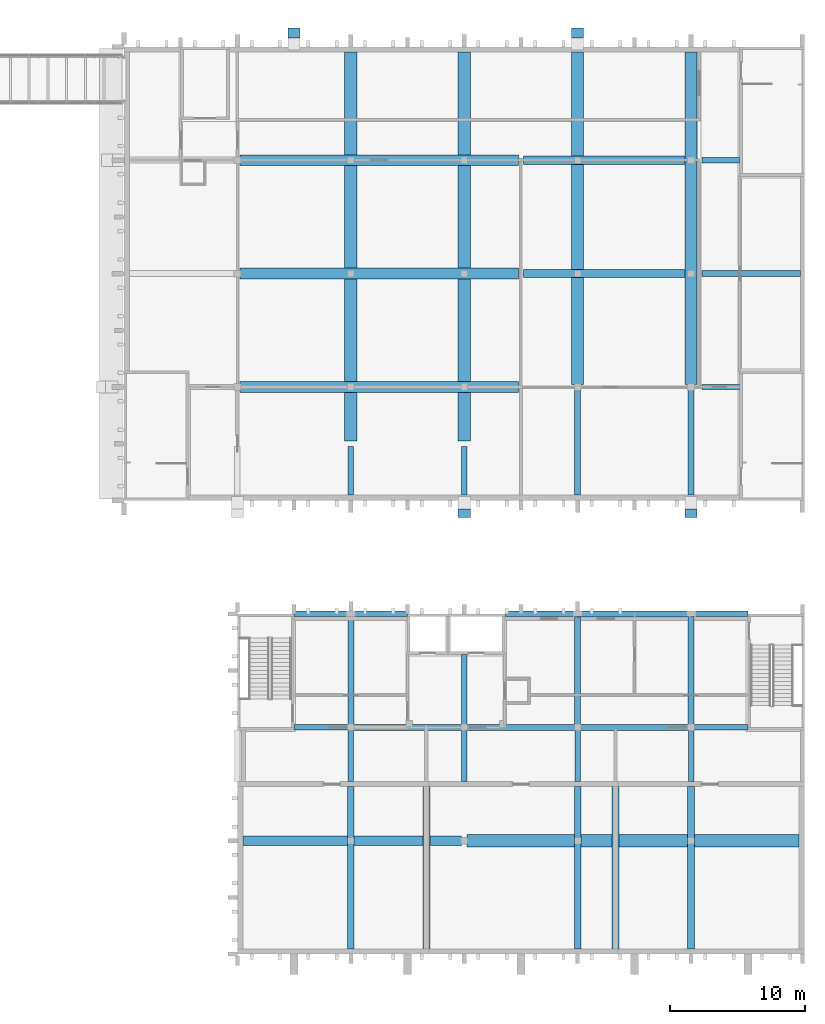
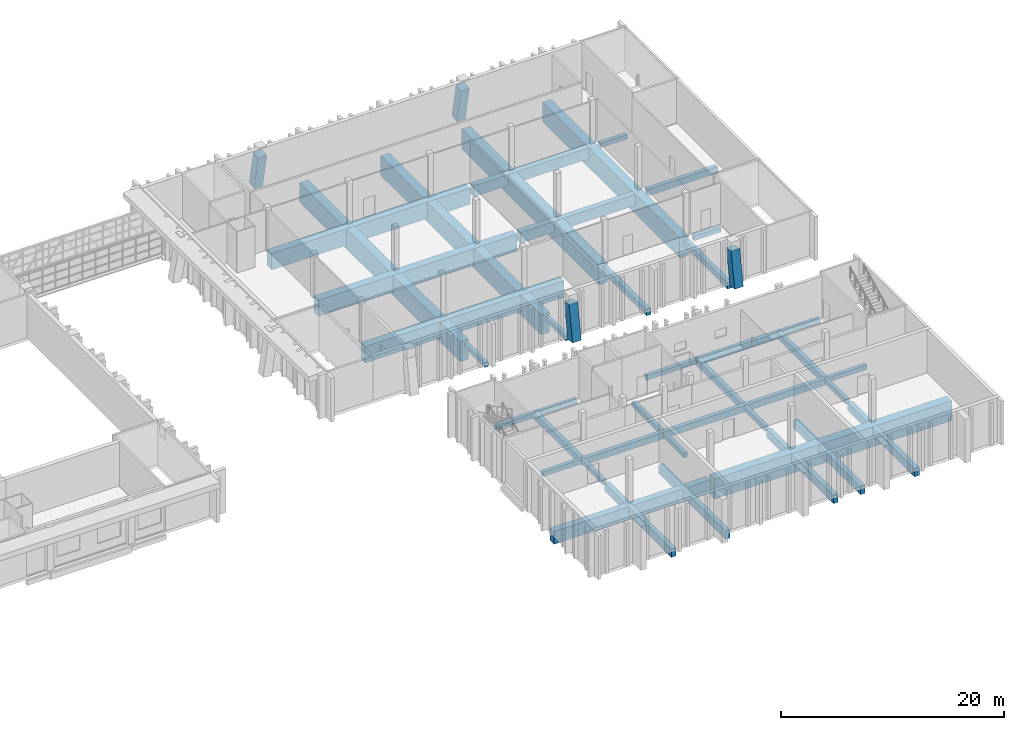
# One storey, part 24 of 86: 41 beams, 4 members.
"""IFC4 building model written with IfcOpenShell, lengths in metres."""

from ifc_helpers import new_model, si_unit, direction, frame, origin, origin_2d, place, context, subcontext, project, spatial, rectangle, extrude, material, material_profile, profile_set, type_object, element, save


model = new_model("IFC4")

# Units and contexts
model_context = context("Model", 3, precision=1e-05, world=origin(), true_north=direction((0.0, 1.0)))
body_context = subcontext(model_context, "Body", "Model", "MODEL_VIEW")
ifc_project = project(units=[si_unit("LENGTHUNIT", "METRE"), si_unit("AREAUNIT", "SQUARE_METRE"), si_unit("VOLUMEUNIT", "CUBIC_METRE"), si_unit("PLANEANGLEUNIT", "RADIAN"), si_unit("MASSUNIT", "GRAM", prefix="KILO")], contexts=[model_context])

# Site, building, storey
site_placement = place(None, origin())
site = spatial("IfcSite", under=ifc_project, at=site_placement, CompositionType="ELEMENT")
building_placement = place(site_placement, origin())
building = spatial("IfcBuilding", under=site, at=building_placement, Name="Kiln Court Media Centre", CompositionType="ELEMENT")
storey_placement = place(building_placement, frame((0.0, 0.0, 10.199951171875)))
storey = spatial("IfcBuildingStorey", under=building, at=storey_placement, Name="L02", CompositionType="ELEMENT", Elevation=10.199951171875)

# Beams
ifc_material_1 = material(Name="Concrete C30/37", Category="concrete")
ifc_material_profile_1 = material_profile(ifc_material_1, rectangle(XDim=0.39990234375, YDim=0.5, at=origin_2d()), Name="RC 400x500")
ifc_profile_set_1 = profile_set([ifc_material_profile_1], Name="Concrete C30/37")
beam_type_1 = type_object("IfcBeamType", Name="Concrete C30/37 beam 400x500", PredefinedType="BEAM", material=ifc_profile_set_1)
for number, where, z_axis, x_axis, name in (
    (1, (134.39990234375, 34.0, -0.550048828125), (0.0, 1.0, 0.0), (-1.0, 0.0, 0.0), "L02-B-1123"),
    (2, (142.800048828125, 34.0, -0.550048828125), (0.0, 1.0, 0.0), (-1.0, 0.0, 0.0), "L02-B-1125"),
):
    element("IfcBeam", number, at=place(storey_placement, frame(where, z_axis=z_axis, x_axis=x_axis)), inside=storey, type_object=beam_type_1, Name=name, PredefinedType="BEAM", context=body_context, shape_type="SweptSolid", body=[
        extrude(rectangle(XDim=0.39990234375, YDim=0.5, at=origin_2d()), origin(), (0.0, 0.0, 1.0), 3.60009765625),
    ])
for number, where, z_axis, x_axis, name in (
    (3, (160.39990234375, 42.0, -0.550048828125), (1.0, 0.0, 0.0), (0.0, 1.0, 0.0), "L02-B-1133"),
    (4, (160.39990234375, 58.800048828125, -0.550048828125), (1.0, 0.0, 0.0), (0.0, 1.0, 0.0), "L02-B-1141"),
):
    element("IfcBeam", number, at=place(storey_placement, frame(where, z_axis=z_axis, x_axis=x_axis)), inside=storey, type_object=beam_type_1, Name=name, PredefinedType="BEAM", context=body_context, shape_type="SweptSolid", body=[
        extrude(rectangle(XDim=0.39990234375, YDim=0.5, at=origin_2d()), origin(), (0.0, 0.0, 1.0), 2.800048828125),
    ])
for number, where, z_axis, x_axis, name in (
    (5, (134.39990234375, 12.800048828125, -0.550048828125), (0.0, 1.0, 0.0), (-1.0, 0.0, 0.0), "L02-B-1144"),
    (6, (142.800048828125, 12.800048828125, -0.550048828125), (0.0, 1.0, 0.0), (-1.0, 0.0, 0.0), "L02-B-1146"),
):
    element("IfcBeam", number, at=place(storey_placement, frame(where, z_axis=z_axis, x_axis=x_axis)), inside=storey, type_object=beam_type_1, Name=name, PredefinedType="BEAM", context=body_context, shape_type="SweptSolid", body=[
        extrude(rectangle(XDim=0.39990234375, YDim=0.5, at=origin_2d()), origin(), (0.0, 0.0, 1.0), 4.0),
    ])
beam_1_placement = place(storey_placement, frame((142.800048828125, 16.800048828125, -0.550048828125), z_axis=(0.0, 1.0, 0.0), x_axis=(-1.0, 0.0, 0.0)))
element("IfcBeam", 7, at=beam_1_placement, inside=storey, type_object=beam_type_1, Name="L02-B-1147", PredefinedType="BEAM", context=body_context, shape_type="SweptSolid", body=[
    extrude(rectangle(XDim=0.39990234375, YDim=0.5, at=origin_2d()), origin(), (0.0, 0.0, 1.0), 5.39990234375),
])
for number, where, z_axis, x_axis, name in (
    (8, (151.199951171875, 12.800048828125, -0.550048828125), (0.0, 1.0, 0.0), (-1.0, 0.0, 0.0), "L02-B-1149"),
    (9, (159.60009765625, 12.800048828125, -0.550048828125), (0.0, 1.0, 0.0), (-1.0, 0.0, 0.0), "L02-B-1152"),
):
    element("IfcBeam", number, at=place(storey_placement, frame(where, z_axis=z_axis, x_axis=x_axis)), inside=storey, type_object=beam_type_1, Name=name, PredefinedType="BEAM", context=body_context, shape_type="SweptSolid", body=[
        extrude(rectangle(XDim=0.39990234375, YDim=0.5, at=origin_2d()), origin(), (0.0, 0.0, 1.0), 4.0),
    ])
for number, where, z_axis, x_axis, name in (
    (10, (130.199951171875, 16.800048828125, -0.550048828125), (1.0, 0.0, 0.0), (0.0, 1.0, 0.0), "L02-B-1156"),
    (11, (159.60009765625, 16.800048828125, -0.550048828125), (1.0, 0.0, 0.0), (0.0, 1.0, 0.0), "L02-B-1160"),
    (12, (130.199951171875, 25.199951171875, -0.550048828125), (1.0, 0.0, 0.0), (0.0, 1.0, 0.0), "L02-B-1161"),
):
    element("IfcBeam", number, at=place(storey_placement, frame(where, z_axis=z_axis, x_axis=x_axis)), inside=storey, type_object=beam_type_1, Name=name, PredefinedType="BEAM", context=body_context, shape_type="SweptSolid", body=[
        extrude(rectangle(XDim=0.39990234375, YDim=0.5, at=origin_2d()), origin(), (0.0, 0.0, 1.0), 4.199951171875),
    ])
beam_2_placement = place(storey_placement, frame((134.39990234375, 25.199951171875, -0.550048828125), z_axis=(1.0, 0.0, 0.0), x_axis=(0.0, 1.0, 0.0)))
element("IfcBeam", 13, at=beam_2_placement, inside=storey, type_object=beam_type_1, Name="L02-B-1162", PredefinedType="BEAM", context=body_context, shape_type="SweptSolid", body=[
    extrude(rectangle(XDim=0.39990234375, YDim=0.5, at=origin_2d()), origin(), (0.0, 0.0, 1.0), 4.2001953125),
])
beam_3_placement = place(storey_placement, frame((145.800048828125, 25.199951171875, -0.550048828125), z_axis=(1.0, 0.0, 0.0), x_axis=(0.0, 1.0, 0.0)))
element("IfcBeam", 14, at=beam_3_placement, inside=storey, type_object=beam_type_1, Name="L02-B-1163", PredefinedType="BEAM", context=body_context, shape_type="SweptSolid", body=[
    extrude(rectangle(XDim=0.39990234375, YDim=0.5, at=origin_2d()), origin(), (0.0, 0.0, 1.0), 5.39990234375),
])
beam_4_placement = place(storey_placement, frame((159.60009765625, 25.199951171875, -0.550048828125), z_axis=(1.0, 0.0, 0.0), x_axis=(0.0, 1.0, 0.0)))
element("IfcBeam", 15, at=beam_4_placement, inside=storey, type_object=beam_type_1, Name="L02-B-1165", PredefinedType="BEAM", context=body_context, shape_type="SweptSolid", body=[
    extrude(rectangle(XDim=0.39990234375, YDim=0.5, at=origin_2d()), origin(), (0.0, 0.0, 1.0), 4.199951171875),
])
ifc_material_2 = material(Name="Concrete C30/37", Category="concrete")
ifc_material_profile_2 = material_profile(ifc_material_2, rectangle(XDim=0.449951171875, YDim=0.699951171875, at=origin_2d()), Name="RC 450x700")
ifc_profile_set_2 = profile_set([ifc_material_profile_2], Name="Concrete C30/37")
beam_type_2 = type_object("IfcBeamType", Name="Concrete C30/37 beam 450x700", PredefinedType="BEAM", material=ifc_profile_set_2)
for number, where, z_axis, x_axis, name in (
    (16, (151.199951171875, 34.0, -0.64990234375), (0.0, 1.0, 0.0), (-1.0, 0.0, 0.0), "L02-B-1127"),
    (17, (159.60009765625, 34.0, -0.64990234375), (0.0, 1.0, 0.0), (-1.0, 0.0, 0.0), "L02-B-1129"),
):
    element("IfcBeam", number, at=place(storey_placement, frame(where, z_axis=z_axis, x_axis=x_axis)), inside=storey, type_object=beam_type_2, Name=name, PredefinedType="BEAM", context=body_context, shape_type="SweptSolid", body=[
        extrude(rectangle(XDim=0.449951171875, YDim=0.699951171875, at=origin_2d()), origin(), (0.0, 0.0, 1.0), 7.800048828125),
    ])
beam_5_placement = place(storey_placement, frame((160.39990234375, 50.39990234375, -0.64990234375), z_axis=(1.0, 0.0, 0.0), x_axis=(0.0, 1.0, 0.0)))
element("IfcBeam", 18, at=beam_5_placement, inside=storey, type_object=beam_type_2, Name="L02-B-1137", PredefinedType="BEAM", context=body_context, shape_type="SweptSolid", body=[
    extrude(rectangle(XDim=0.449951171875, YDim=0.699951171875, at=origin_2d()), origin(), (0.0, 0.0, 1.0), 7.300048828125),
])
for number, where, z_axis, x_axis, name in (
    (19, (134.39990234375, 16.800048828125, -0.64990234375), (0.0, 1.0, 0.0), (-1.0, 0.0, 0.0), "L02-B-1145"),
    (20, (151.199951171875, 16.800048828125, -0.64990234375), (0.0, 1.0, 0.0), (-1.0, 0.0, 0.0), "L02-B-1150"),
    (21, (159.60009765625, 16.800048828125, -0.64990234375), (0.0, 1.0, 0.0), (-1.0, 0.0, 0.0), "L02-B-1153"),
):
    element("IfcBeam", number, at=place(storey_placement, frame(where, z_axis=z_axis, x_axis=x_axis)), inside=storey, type_object=beam_type_2, Name=name, PredefinedType="BEAM", context=body_context, shape_type="SweptSolid", body=[
        extrude(rectangle(XDim=0.449951171875, YDim=0.699951171875, at=origin_2d()), origin(), (0.0, 0.0, 1.0), 8.39990234375),
    ])
beam_6_placement = place(storey_placement, frame((134.39990234375, 16.800048828125, -0.64990234375), z_axis=(1.0, 0.0, 0.0), x_axis=(0.0, 1.0, 0.0)))
element("IfcBeam", 22, at=beam_6_placement, inside=storey, type_object=beam_type_2, Name="L02-B-1157", PredefinedType="BEAM", context=body_context, shape_type="SweptSolid", body=[
    extrude(rectangle(XDim=0.449951171875, YDim=0.699951171875, at=origin_2d()), origin(), (0.0, 0.0, 1.0), 8.400146484375),
])
beam_7_placement = place(storey_placement, frame((142.800048828125, 16.800048828125, -0.64990234375), z_axis=(1.0, 0.0, 0.0), x_axis=(0.0, 1.0, 0.0)))
element("IfcBeam", 23, at=beam_7_placement, inside=storey, type_object=beam_type_2, Name="L02-B-1158", PredefinedType="BEAM", context=body_context, shape_type="SweptSolid", body=[
    extrude(rectangle(XDim=0.449951171875, YDim=0.699951171875, at=origin_2d()), origin(), (0.0, 0.0, 1.0), 8.39990234375),
])
for number, where, z_axis, x_axis, name in (
    (24, (151.199951171875, 16.800048828125, -0.64990234375), (1.0, 0.0, 0.0), (0.0, 1.0, 0.0), "L02-B-1159"),
    (25, (151.199951171875, 25.199951171875, -0.64990234375), (1.0, 0.0, 0.0), (0.0, 1.0, 0.0), "L02-B-1164"),
):
    element("IfcBeam", number, at=place(storey_placement, frame(where, z_axis=z_axis, x_axis=x_axis)), inside=storey, type_object=beam_type_2, Name=name, PredefinedType="BEAM", context=body_context, shape_type="SweptSolid", body=[
        extrude(rectangle(XDim=0.449951171875, YDim=0.699951171875, at=origin_2d()), origin(), (0.0, 0.0, 1.0), 8.400146484375),
    ])
ifc_material_3 = material(Name="Concrete C30/37", Category="concrete")
ifc_material_profile_3 = material_profile(ifc_material_3, rectangle(XDim=0.5, YDim=0.89990234375, at=origin_2d()), Name="RC 500x900")
ifc_profile_set_3 = profile_set([ifc_material_profile_3], Name="Concrete C30/37")
beam_type_3 = type_object("IfcBeamType", Name="Concrete C30/37 beam 500x900", PredefinedType="BEAM", material=ifc_profile_set_3)
for number, where, z_axis, x_axis, name in (
    (26, (134.39990234375, 0.39990234375, -0.75), (0.0, 1.0, 0.0), (-1.0, 0.0, 0.0), "L02-B-1143"),
    (27, (151.199951171875, 0.39990234375, -0.75), (0.0, 1.0, 0.0), (-1.0, 0.0, 0.0), "L02-B-1148"),
    (28, (159.60009765625, 0.39990234375, -0.75), (0.0, 1.0, 0.0), (-1.0, 0.0, 0.0), "L02-B-1151"),
    (29, (140.0, 12.39990234375, -0.75), (0.0, -1.0, 0.0), (1.0, 0.0, 0.0), "L02-B-1166"),
    (30, (154.0, 12.39990234375, -0.75), (0.0, -1.0, 0.0), (1.0, 0.0, 0.0), "L02-B-1167"),
):
    element("IfcBeam", number, at=place(storey_placement, frame(where, z_axis=z_axis, x_axis=x_axis)), inside=storey, type_object=beam_type_3, Name=name, PredefinedType="BEAM", context=body_context, shape_type="SweptSolid", body=[
        extrude(rectangle(XDim=0.5, YDim=0.89990234375, at=origin_2d()), origin(), (0.0, 0.0, 1.0), 12.0),
    ])
ifc_material_4 = material(Name="Concrete C30/37", Category="concrete")
ifc_material_profile_4 = material_profile(ifc_material_4, rectangle(XDim=0.60009765625, YDim=1.199951171875, at=origin_2d()), Name="RC 600x1200")
ifc_profile_set_4 = profile_set([ifc_material_profile_4], Name="Concrete C30/37")
beam_type_4 = type_object("IfcBeamType", Name="Concrete C30/37 beam 600x1200", PredefinedType="BEAM", material=ifc_profile_set_4)
for number, where, z_axis, x_axis, name in (
    (31, (147.199951171875, 50.39990234375, -0.89990234375), (1.0, 0.0, 0.0), (0.0, 1.0, 0.0), "L02-B-1136"),
    (32, (147.199951171875, 58.800048828125, -0.89990234375), (1.0, 0.0, 0.0), (0.0, 1.0, 0.0), "L02-B-1140"),
):
    element("IfcBeam", number, at=place(storey_placement, frame(where, z_axis=z_axis, x_axis=x_axis)), inside=storey, type_object=beam_type_4, Name=name, PredefinedType="BEAM", context=body_context, shape_type="SweptSolid", body=[
        extrude(rectangle(XDim=0.60009765625, YDim=1.199951171875, at=origin_2d()), origin(), (0.0, 0.0, 1.0), 11.949951171875),
    ])
ifc_material_5 = material(Name="Concrete C30/37", Category="concrete")
ifc_material_profile_5 = material_profile(ifc_material_5, rectangle(XDim=0.699951171875, YDim=1.39990234375, at=origin_2d()), Name="RC 700x1400")
ifc_profile_set_5 = profile_set([ifc_material_profile_5], Name="Concrete C30/37")
beam_type_5 = type_object("IfcBeamType", Name="Concrete C30/37 beam 700x1400", PredefinedType="BEAM", material=ifc_profile_set_5)
beam_8_placement = place(storey_placement, frame((126.39990234375, 8.39990234375, -1.0), z_axis=(1.0, 0.0, 0.0), x_axis=(0.0, 1.0, 0.0)))
element("IfcBeam", 33, at=beam_8_placement, inside=storey, type_object=beam_type_5, Name="L02-B-1154", PredefinedType="BEAM", context=body_context, shape_type="SweptSolid", body=[
    extrude(rectangle(XDim=0.699951171875, YDim=1.39990234375, at=origin_2d()), origin(), (0.0, 0.0, 1.0), 16.2001953125),
])
ifc_material_6 = material(Name="Concrete C30/37", Category="concrete")
ifc_material_profile_6 = material_profile(ifc_material_6, rectangle(XDim=0.800048828125, YDim=1.800048828125, at=origin_2d()), Name="RC 800x1800")
ifc_profile_set_6 = profile_set([ifc_material_profile_6], Name="Concrete C30/37")
beam_type_6 = type_object("IfcBeamType", Name="Concrete C30/37 beam 800x1800", PredefinedType="BEAM", material=ifc_profile_set_6)
for number, where, z_axis, x_axis, name in (
    (34, (126.199951171875, 42.0, -1.199951171875), (1.0, 0.0, 0.0), (0.0, 1.0, 0.0), "L02-B-1132"),
    (35, (126.199951171875, 50.39990234375, -1.199951171875), (1.0, 0.0, 0.0), (0.0, 1.0, 0.0), "L02-B-1135"),
    (36, (126.199951171875, 58.800048828125, -1.199951171875), (1.0, 0.0, 0.0), (0.0, 1.0, 0.0), "L02-B-1139"),
):
    element("IfcBeam", number, at=place(storey_placement, frame(where, z_axis=z_axis, x_axis=x_axis)), inside=storey, type_object=beam_type_6, Name=name, PredefinedType="BEAM", context=body_context, shape_type="SweptSolid", body=[
        extrude(rectangle(XDim=0.800048828125, YDim=1.800048828125, at=origin_2d()), origin(), (0.0, 0.0, 1.0), 20.60009765625),
    ])
ifc_material_7 = material(Name="Concrete C30/37", Category="concrete")
ifc_material_profile_7 = material_profile(ifc_material_7, rectangle(XDim=0.89990234375, YDim=2.199951171875, at=origin_2d()), Name="RC 900x2200")
ifc_profile_set_7 = profile_set([ifc_material_profile_7], Name="Concrete C30/37")
beam_type_7 = type_object("IfcBeamType", Name="Concrete C30/37 beam 900x2200", PredefinedType="BEAM", material=ifc_profile_set_7)
for number, where, z_axis, x_axis, name in (
    (37, (134.39990234375, 38.0, -1.39990234375), (0.0, 1.0, 0.0), (-1.0, 0.0, 0.0), "L02-B-1124"),
    (38, (142.800048828125, 38.0, -1.39990234375), (0.0, 1.0, 0.0), (-1.0, 0.0, 0.0), "L02-B-1126"),
):
    element("IfcBeam", number, at=place(storey_placement, frame(where, z_axis=z_axis, x_axis=x_axis)), inside=storey, type_object=beam_type_7, Name=name, PredefinedType="BEAM", context=body_context, shape_type="SweptSolid", body=[
        extrude(rectangle(XDim=0.89990234375, YDim=2.199951171875, at=origin_2d()), origin(), (0.0, 0.0, 1.0), 28.800048828125),
    ])
for number, where, z_axis, x_axis, name in (
    (39, (151.199951171875, 42.199951171875, -1.39990234375), (0.0, 1.0, 0.0), (-1.0, 0.0, 0.0), "L02-B-1128"),
    (40, (159.60009765625, 42.199951171875, -1.39990234375), (0.0, 1.0, 0.0), (-1.0, 0.0, 0.0), "L02-B-1130"),
    (41, (143.0, 8.39990234375, -1.39990234375), (1.0, 0.0, 0.0), (0.0, 1.0, 0.0), "L02-B-1155"),
):
    element("IfcBeam", number, at=place(storey_placement, frame(where, z_axis=z_axis, x_axis=x_axis)), inside=storey, type_object=beam_type_7, Name=name, PredefinedType="BEAM", context=body_context, shape_type="SweptSolid", body=[
        extrude(rectangle(XDim=0.89990234375, YDim=2.199951171875, at=origin_2d()), origin(), (0.0, 0.0, 1.0), 24.60009765625),
    ])

# Members
ifc_material_8 = material(Name="Concrete C40/50", Category="concrete")
ifc_material_profile_8 = material_profile(ifc_material_8, rectangle(XDim=0.89990234375, YDim=0.89990234375, at=origin_2d()), Name="RC 900x900")
ifc_profile_set_8 = profile_set([ifc_material_profile_8], Name="Concrete C40/50")
member_type = type_object("IfcMemberType", Name="Concrete C40/50 raked column 900x900", PredefinedType="STRUT", material=ifc_profile_set_8)
for number, where, z_axis, x_axis, name in (
    (42, (142.800048828125, 32.76806640625, 0.0), (0.0, 0.170790820623, 0.985307310229), (-1.0, 0.0, 0.0), "L02-M-1008"),
    (43, (159.60009765625, 32.76806640625, 0.0), (0.0, 0.170790820623, 0.985307310229), (-1.0, 0.0, 0.0), "L02-M-1009"),
):
    element("IfcMember", number, at=place(storey_placement, frame(where, z_axis=z_axis, x_axis=x_axis)), inside=storey, type_object=member_type, Name=name, PredefinedType="STRUT", context=body_context, shape_type="SweptSolid", body=[
        extrude(rectangle(XDim=0.89990234375, YDim=0.89990234375, at=origin_2d()), origin(), (0.0, 0.0, 1.0), 3.856689453125),
    ])
for number, where, z_axis, x_axis, name in (
    (44, (130.199951171875, 68.159912109375, 0.0), (0.0, -0.196116135138, 0.980580675691), (1.0, 0.0, 0.0), "L02-M-1010"),
    (45, (151.199951171875, 68.159912109375, 0.0), (0.0, -0.196116135138, 0.980580675691), (1.0, 0.0, 0.0), "L02-M-1011"),
):
    element("IfcMember", number, at=place(storey_placement, frame(where, z_axis=z_axis, x_axis=x_axis)), inside=storey, type_object=member_type, Name=name, PredefinedType="STRUT", context=body_context, shape_type="SweptSolid", body=[
        extrude(rectangle(XDim=0.89990234375, YDim=0.89990234375, at=origin_2d()), origin(), (0.0, 0.0, 1.0), 3.875244140625),
    ])

save(model, "model.ifc")
